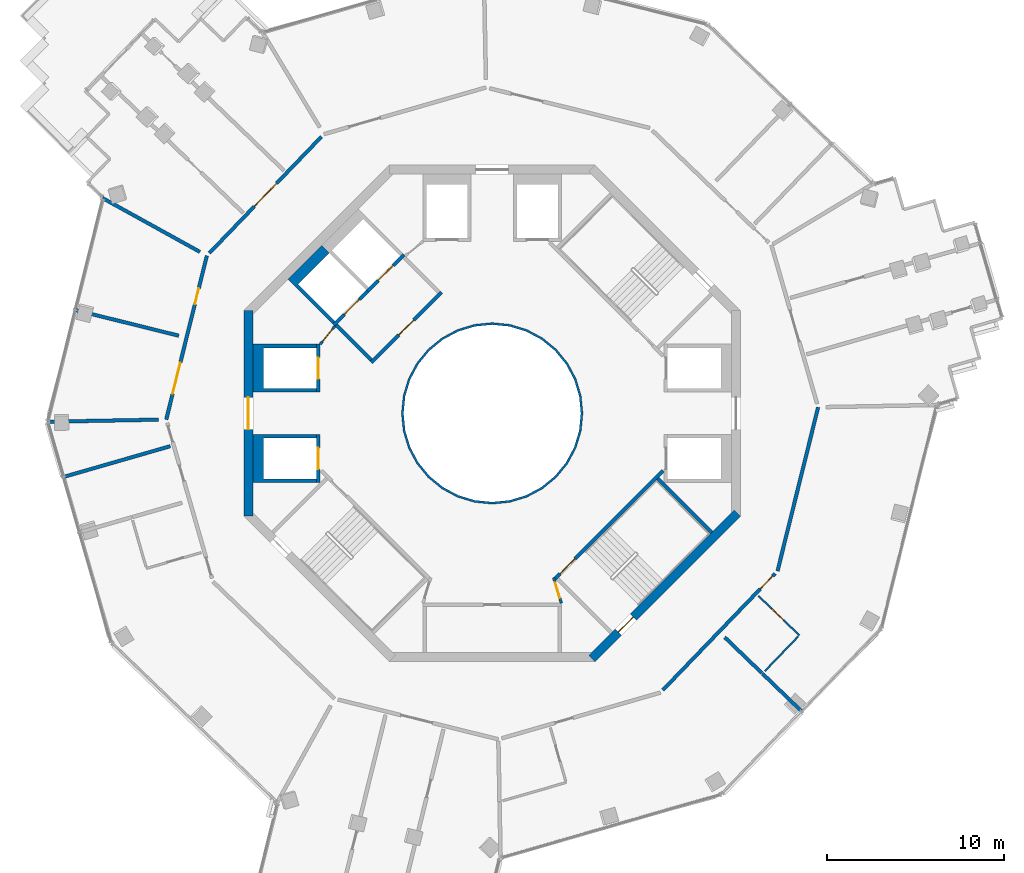
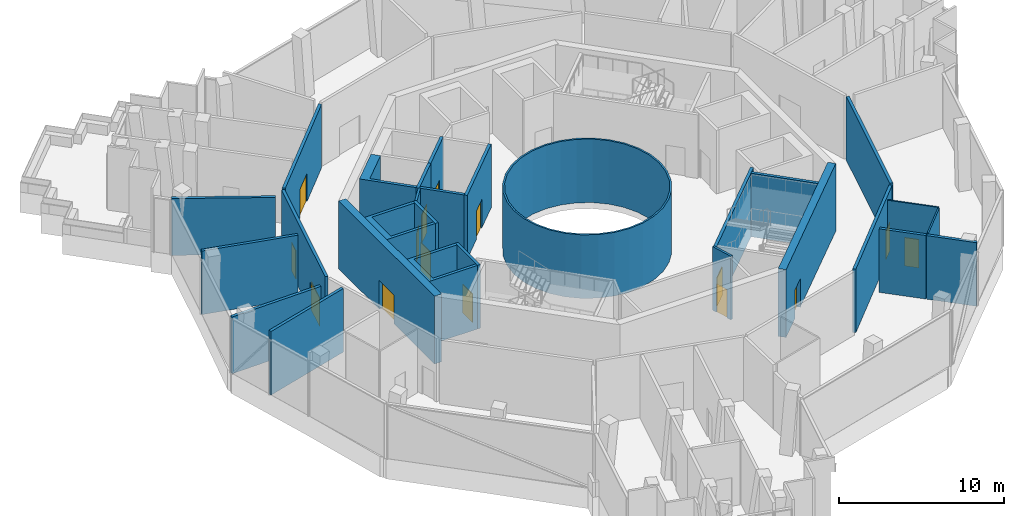
# One storey, part 9 of 17: 28 walls, 15 doors, 15 openings.
"""IFC4 building model written with IfcOpenShell, lengths in metres."""

from ifc_helpers import new_model, si_unit, direction, frame, frame_2d, origin, place, context, subcontext, project, spatial, polyline, rectangle, outline, extrude, material, layer, layer_set, type_object, element, fill, save


model = new_model("IFC4")

# Units and contexts
model_context = context("Model", 3, precision=1e-05, world=origin(), true_north=direction((0.0, 1.0)))
body_context = subcontext(model_context, "Body", "Model", "MODEL_VIEW")
ifc_project = project(units=[si_unit("LENGTHUNIT", "METRE"), si_unit("AREAUNIT", "SQUARE_METRE"), si_unit("VOLUMEUNIT", "CUBIC_METRE"), si_unit("PLANEANGLEUNIT", "RADIAN"), si_unit("MASSUNIT", "GRAM", prefix="KILO")], contexts=[model_context])

# Site, building, storey
site_placement = place(None, origin())
site = spatial("IfcSite", under=ifc_project, at=site_placement, CompositionType="ELEMENT")
building_placement = place(site_placement, origin())
building = spatial("IfcBuilding", under=site, at=building_placement, Name="Verdalira Terraces Hotel", CompositionType="ELEMENT")
storey_placement = place(building_placement, frame((0.0, 0.0, 222.0)))
storey = spatial("IfcBuildingStorey", under=building, at=storey_placement, Name="L54", CompositionType="ELEMENT", Elevation=222.0)

# Wall
ifc_material_1 = material(Name="Fire-resisting glass EI 180", Category="glass")
ifc_layer_1 = layer(ifc_material_1, 0.1201171875)
ifc_layer_set_1 = layer_set([ifc_layer_1], Name="Atrium fire screen 120 mm")
wall_type_1 = type_object("IfcWallType", Name="Atrium fire screen 120 mm", PredefinedType="SOLIDWALL", material=ifc_layer_set_1)
wall_1_placement = place(storey_placement, origin())
element("IfcWall", 1, at=wall_1_placement, inside=storey, type_object=wall_type_1, Name="Atrium fire screen", PredefinedType="SOLIDWALL", context=body_context, shape_type="SweptSolid", body=[
    extrude(outline(polyline([(5.021484, -0.998779), (4.730225, -1.959229), (4.25708, -2.844482), (3.620361, -3.620361), (2.844482, -4.25708), (1.959229, -4.730225), (0.998779, -5.021484), (0.0, -5.120117), (-0.998779, -5.021484), (-1.959229, -4.730225), (-2.844482, -4.25708), (-3.620361, -3.620361), (-4.25708, -2.844482), (-4.730225, -1.959229), (-5.021484, -0.998779), (-5.120117, 0.0), (-5.021484, 0.998779), (-4.730225, 1.959229), (-4.25708, 2.844482), (-3.620361, 3.620361), (-2.844482, 4.25708), (-1.959229, 4.730225), (-0.998779, 5.021484), (0.0, 5.120117), (0.998779, 5.021484), (1.959229, 4.730225), (2.844482, 4.25708), (3.620361, 3.620361), (4.25708, 2.844482), (4.730225, 1.959229), (5.021484, 0.998779), (5.120117, 0.0), (5.021484, -0.998779)]), holes=[polyline([(4.903809, 0.975586), (4.619385, 1.91333), (4.157227, 2.777832), (3.5354, 3.5354), (2.777832, 4.157227), (1.91333, 4.619385), (0.975586, 4.903809), (0.0, 5.0), (-0.975586, 4.903809), (-1.91333, 4.619385), (-2.777832, 4.157227), (-3.5354, 3.5354), (-4.157227, 2.777832), (-4.619385, 1.91333), (-4.903809, 0.975586), (-5.0, 0.0), (-4.903809, -0.975586), (-4.619385, -1.91333), (-4.157227, -2.777832), (-3.5354, -3.5354), (-2.777832, -4.157227), (-1.91333, -4.619385), (-0.975586, -4.903809), (0.0, -5.0), (0.975586, -4.903809), (1.91333, -4.619385), (2.777832, -4.157227), (3.5354, -3.5354), (4.157227, -2.777832), (4.619385, -1.91333), (4.903809, -0.975586), (5.0, 0.0), (4.903809, 0.975586)])]), origin(), (0.0, 0.0, 1.0), 4.689941),
])

# Wall, opening, door
ifc_material_2 = material(Name="Moisture-resistant gypsum board partition")
ifc_layer_2 = layer(ifc_material_2, 0.10009765625)
ifc_layer_set_2 = layer_set([ifc_layer_2], Name="Bathroom partition 100 mm")
wall_type_2 = type_object("IfcWallType", Name="Bathroom partition 100 mm", PredefinedType="PARTITIONING", material=ifc_layer_set_2)
wall_2_placement = place(storey_placement, frame((17.321533, -12.515625, 0.0), z_axis=(0.0, 0.0, 1.0), x_axis=(-0.7202948, 0.693668077, 0.0)))
wall_2 = element("IfcWall", 2, at=wall_2_placement, inside=storey, type_object=wall_type_2, Name="Bathroom partition", PredefinedType="PARTITIONING", context=body_context, shape_type="SweptSolid", body=[
    extrude(rectangle(XDim=3.199951, YDim=0.100098, at=frame_2d((1.600098, 0.0))), origin(), (0.0, 0.0, 1.0), 4.689941),
])
opening_1_placement = place(wall_2_placement, frame((1.25, 0.0, 0.0)))
opening_1 = element("IfcOpeningElement", 3, at=opening_1_placement, cuts=wall_2, Name="Opening L54-115", PredefinedType="OPENING", context=body_context, shape_type="SweptSolid", body=[
    extrude(rectangle(XDim=0.899902, YDim=2.100098, at=frame_2d((0.449951, 1.050049))), frame((0.0, 0.060059, 0.0), z_axis=(0.0, -1.0, 0.0), x_axis=(1.0, 0.0, 0.0)), (0.0, 0.0, 1.0), 0.120117),
])
ifc_material_3 = material(Name="Timber door", Category="wood")
door_type_1 = type_object("IfcDoorType", Name="Bathroom door 900 x 2100", OperationType="NOTDEFINED", PredefinedType="DOOR", material=ifc_material_3)
door_1_placement = place(opening_1_placement, origin())
door_1 = element("IfcDoor", 4, at=door_1_placement, inside=storey, type_object=door_type_1, Name="Bathroom door 5407", OperationType="SINGLE_SWING_LEFT", OverallHeight=2.10009765625, OverallWidth=0.89990234375, PredefinedType="DOOR", context=body_context, shape_type="SweptSolid", body=[
    extrude(rectangle(XDim=0.899902, YDim=2.100098, at=frame_2d((0.449951, 1.050049))), frame((0.0, 0.024902, 0.0), z_axis=(0.0, -1.0, 0.0), x_axis=(1.0, 0.0, 0.0)), (0.0, 0.0, 1.0), 0.050049),
])
fill(opening_1, door_1)

# Walls
wall_3_placement = place(storey_placement, frame((17.252197, -12.587646, 0.0), z_axis=(0.0, 0.0, 1.0), x_axis=(-0.693643425, -0.72031854, 0.0)))
element("IfcWall", 5, at=wall_3_placement, inside=storey, type_object=wall_type_2, Name="Bathroom partition", PredefinedType="PARTITIONING", context=body_context, shape_type="SweptSolid", body=[
    extrude(rectangle(XDim=2.699951, YDim=0.100098, at=frame_2d((1.350098, 0.0))), origin(), (0.0, 0.0, 1.0), 4.689941),
])
ifc_material_4 = material(Name="Concrete C50", Category="concrete")
ifc_layer_3 = layer(ifc_material_4, 0.199951171875)
ifc_layer_set_3 = layer_set([ifc_layer_3], Name="Core RC wall 200 C50")
wall_type_3 = type_object("IfcWallType", Name="Core RC wall 200 C50", PredefinedType="SOLIDWALL", material=ifc_layer_set_3)
wall_4_placement = place(storey_placement, origin())
element("IfcWall", 6, at=wall_4_placement, inside=storey, type_object=wall_type_3, Name="L54 shaft wall W1", PredefinedType="SOLIDWALL", context=body_context, shape_type="SweptSolid", body=[
    extrude(outline(polyline([(-13.5, 3.899902), (-9.899902, 3.899902), (-9.899902, 3.699951), (-12.899902, 3.699951), (-12.899902, 1.399902), (-9.899902, 1.399902), (-9.899902, 1.199951), (-13.5, 1.199951), (-13.5, 3.899902)])), origin(), (0.0, 0.0, 1.0), 4.689941),
])

# Wall, opening, door
wall_5_placement = place(storey_placement, frame((-9.800049, 1.199951, 0.0), z_axis=(0.0, 0.0, 1.0), x_axis=(0.0, 1.0, 0.0)))
wall_5 = element("IfcWall", 7, at=wall_5_placement, inside=storey, type_object=wall_type_3, Name="L54 shaft front wall W1", PredefinedType="SOLIDWALL", context=body_context, shape_type="SweptSolid", body=[
    extrude(rectangle(XDim=2.699951, YDim=0.199951, at=frame_2d((1.350098, 0.0))), origin(), (0.0, 0.0, 1.0), 4.689941),
])
opening_2_placement = place(wall_5_placement, frame((0.75, 0.0, 0.0)))
opening_2 = element("IfcOpeningElement", 8, at=opening_2_placement, cuts=wall_5, Name="Opening LD-L54-806", PredefinedType="OPENING", context=body_context, shape_type="SweptSolid", body=[
    extrude(rectangle(XDim=1.199951, YDim=2.100098, at=frame_2d((0.600098, 1.050049))), frame((0.0, 0.109863, 0.0), z_axis=(0.0, -1.0, 0.0), x_axis=(1.0, 0.0, 0.0)), (0.0, 0.0, 1.0), 0.219971),
])
ifc_material_5 = material(Name="Stainless steel", Category="steel")
door_type_2 = type_object("IfcDoorType", Name="Landing door 1200 x 2100", OperationType="NOTDEFINED", PredefinedType="DOOR", material=ifc_material_5)
door_2_placement = place(opening_2_placement, origin())
door_2 = element("IfcDoor", 9, at=door_2_placement, inside=storey, type_object=door_type_2, Name="Lift landing door HR5 L54", OperationType="DOUBLE_DOOR_SLIDING", OverallHeight=2.10009765625, OverallWidth=1.199951171875, PredefinedType="DOOR", context=body_context, shape_type="SweptSolid", body=[
    extrude(rectangle(XDim=1.199951, YDim=2.100098, at=frame_2d((0.600098, 1.050049))), frame((0.0, 0.024902, 0.0), z_axis=(0.0, -1.0, 0.0), x_axis=(1.0, 0.0, 0.0)), (0.0, 0.0, 1.0), 0.050049),
])
fill(opening_2, door_2)

# Wall
wall_6_placement = place(storey_placement, origin())
element("IfcWall", 10, at=wall_6_placement, inside=storey, type_object=wall_type_3, Name="L54 shaft wall W2", PredefinedType="SOLIDWALL", context=body_context, shape_type="SweptSolid", body=[
    extrude(outline(polyline([(-13.5, -3.899902), (-13.5, -1.199951), (-9.899902, -1.199951), (-9.899902, -1.399902), (-12.899902, -1.399902), (-12.899902, -3.699951), (-9.899902, -3.699951), (-9.899902, -3.899902), (-13.5, -3.899902)])), origin(), (0.0, 0.0, 1.0), 4.689941),
])

# Wall, opening, door
wall_7_placement = place(storey_placement, frame((-9.800049, -1.199951, 0.0), z_axis=(0.0, 0.0, 1.0), x_axis=(0.0, -1.0, 0.0)))
wall_7 = element("IfcWall", 11, at=wall_7_placement, inside=storey, type_object=wall_type_3, Name="L54 shaft front wall W2", PredefinedType="SOLIDWALL", context=body_context, shape_type="SweptSolid", body=[
    extrude(rectangle(XDim=2.699951, YDim=0.199951, at=frame_2d((1.350098, 0.0))), origin(), (0.0, 0.0, 1.0), 4.689941),
])
opening_3_placement = place(wall_7_placement, frame((0.75, 0.0, 0.0)))
opening_3 = element("IfcOpeningElement", 12, at=opening_3_placement, cuts=wall_7, Name="Opening LD-L54-807", PredefinedType="OPENING", context=body_context, shape_type="SweptSolid", body=[
    extrude(rectangle(XDim=1.199951, YDim=2.100098, at=frame_2d((0.600098, 1.050049))), frame((0.0, 0.109863, 0.0), z_axis=(0.0, -1.0, 0.0), x_axis=(1.0, 0.0, 0.0)), (0.0, 0.0, 1.0), 0.219971),
])
door_3_placement = place(opening_3_placement, origin())
door_3 = element("IfcDoor", 13, at=door_3_placement, inside=storey, type_object=door_type_2, Name="Lift landing door HR6 L54", OperationType="DOUBLE_DOOR_SLIDING", OverallHeight=2.10009765625, OverallWidth=1.199951171875, PredefinedType="DOOR", context=body_context, shape_type="SweptSolid", body=[
    extrude(rectangle(XDim=1.199951, YDim=2.100098, at=frame_2d((0.600098, 1.050049))), frame((0.0, 0.024902, 0.0), z_axis=(0.0, -1.0, 0.0), x_axis=(1.0, 0.0, 0.0)), (0.0, 0.0, 1.0), 0.050049),
])
fill(opening_3, door_3)

wall_8_placement = place(storey_placement, frame((-4.985107, 8.944824, 0.0), z_axis=(0.0, 0.0, 1.0), x_axis=(-0.707106781, -0.707106781, 0.0)))
wall_8 = element("IfcWall", 14, at=wall_8_placement, inside=storey, type_object=wall_type_3, Name="L54 shaft front wall F1", PredefinedType="SOLIDWALL", context=body_context, shape_type="SweptSolid", body=[
    extrude(rectangle(XDim=2.899902, YDim=0.199951, at=frame_2d((1.449951, 0.0))), origin(), (0.0, 0.0, 1.0), 4.689941),
])
opening_4_placement = place(wall_8_placement, frame((0.850098, 0.0, 0.0)))
opening_4 = element("IfcOpeningElement", 15, at=opening_4_placement, cuts=wall_8, Name="Opening LD-L54-808", PredefinedType="OPENING", context=body_context, shape_type="SweptSolid", body=[
    extrude(rectangle(XDim=1.199951, YDim=2.100098, at=frame_2d((0.600098, 1.050049))), frame((0.0, 0.109863, 0.0), z_axis=(0.0, -1.0, 0.0), x_axis=(1.0, 0.0, 0.0)), (0.0, 0.0, 1.0), 0.219971),
])
door_4_placement = place(opening_4_placement, origin())
door_4 = element("IfcDoor", 16, at=door_4_placement, inside=storey, type_object=door_type_2, Name="Lift landing door LF11 L54", OperationType="DOUBLE_DOOR_SLIDING", OverallHeight=2.10009765625, OverallWidth=1.199951171875, PredefinedType="DOOR", context=body_context, shape_type="SweptSolid", body=[
    extrude(rectangle(XDim=1.199951, YDim=2.100098, at=frame_2d((0.600098, 1.050049))), frame((0.0, 0.024902, 0.0), z_axis=(0.0, -1.0, 0.0), x_axis=(1.0, 0.0, 0.0)), (0.0, 0.0, 1.0), 0.050049),
])
fill(opening_4, door_4)

# Wall
wall_9_placement = place(storey_placement, origin())
element("IfcWall", 17, at=wall_9_placement, inside=storey, type_object=wall_type_3, Name="L54 shaft wall F2", PredefinedType="SOLIDWALL", context=body_context, shape_type="SweptSolid", body=[
    extrude(outline(polyline([(-11.525879, 7.565918), (-9.616699, 9.475098), (-9.192383, 9.051025), (-10.960205, 7.283203), (-8.874268, 5.197266), (-9.015625, 5.055908), (-11.525879, 7.565918)])), origin(), (0.0, 0.0, 1.0), 4.689941),
])

# Wall, opening, door
wall_10_placement = place(storey_placement, frame((-7.035645, 6.894287, 0.0), z_axis=(0.0, 0.0, 1.0), x_axis=(-0.707106781, -0.707106781, 0.0)))
wall_10 = element("IfcWall", 18, at=wall_10_placement, inside=storey, type_object=wall_type_3, Name="L54 shaft front wall F2", PredefinedType="SOLIDWALL", context=body_context, shape_type="SweptSolid", body=[
    extrude(rectangle(XDim=2.699951, YDim=0.199951, at=frame_2d((1.350098, 0.0))), origin(), (0.0, 0.0, 1.0), 4.689941),
])
opening_5_placement = place(wall_10_placement, frame((0.649902, 0.0, 0.0)))
opening_5 = element("IfcOpeningElement", 19, at=opening_5_placement, cuts=wall_10, Name="Opening LD-L54-809", PredefinedType="OPENING", context=body_context, shape_type="SweptSolid", body=[
    extrude(rectangle(XDim=1.199951, YDim=2.100098, at=frame_2d((0.600098, 1.050049))), frame((0.0, 0.109863, 0.0), z_axis=(0.0, -1.0, 0.0), x_axis=(1.0, 0.0, 0.0)), (0.0, 0.0, 1.0), 0.219971),
])
door_5_placement = place(opening_5_placement, origin())
door_5 = element("IfcDoor", 20, at=door_5_placement, inside=storey, type_object=door_type_2, Name="Lift landing door LF12 L54", OperationType="DOUBLE_DOOR_SLIDING", OverallHeight=2.10009765625, OverallWidth=1.199951171875, PredefinedType="DOOR", context=body_context, shape_type="SweptSolid", body=[
    extrude(rectangle(XDim=1.199951, YDim=2.100098, at=frame_2d((0.600098, 1.050049))), frame((0.0, 0.024902, 0.0), z_axis=(0.0, -1.0, 0.0), x_axis=(1.0, 0.0, 0.0)), (0.0, 0.0, 1.0), 0.050049),
])
fill(opening_5, door_5)

wall_11_placement = place(storey_placement, frame((9.629395, -3.23999, 0.0), z_axis=(0.0, 0.0, 1.0), x_axis=(-0.707120946, -0.707092617, 0.0)))
wall_11 = element("IfcWall", 21, at=wall_11_placement, inside=storey, type_object=wall_type_3, Name="L54 stair ST3 front wall", PredefinedType="SOLIDWALL", context=body_context, shape_type="SweptSolid", body=[
    extrude(rectangle(XDim=8.61792, YDim=0.199951, at=frame_2d((4.309082, 0.0))), origin(), (0.0, 0.0, 1.0), 4.689941),
])
opening_6_placement = place(wall_11_placement, frame((7.017822, 0.0, 0.0)))
opening_6 = element("IfcOpeningElement", 22, at=opening_6_placement, cuts=wall_11, Name="Opening L54-812", PredefinedType="OPENING", context=body_context, shape_type="SweptSolid", body=[
    extrude(rectangle(XDim=1.199951, YDim=2.100098, at=frame_2d((0.600098, 1.050049))), frame((0.0, 0.109863, 0.0), z_axis=(0.0, -1.0, 0.0), x_axis=(1.0, 0.0, 0.0)), (0.0, 0.0, 1.0), 0.219971),
])
ifc_material_6 = material(Name="Steel fire door", Category="steel")
door_type_3 = type_object("IfcDoorType", Name="Stair door 1200 x 2100", OperationType="NOTDEFINED", PredefinedType="DOOR", material=ifc_material_6)
door_6_placement = place(opening_6_placement, origin())
door_6 = element("IfcDoor", 23, at=door_6_placement, inside=storey, type_object=door_type_3, Name="Stair door ST3 L54", OperationType="SINGLE_SWING_RIGHT", OverallHeight=2.10009765625, OverallWidth=1.199951171875, PredefinedType="DOOR", context=body_context, shape_type="SweptSolid", body=[
    extrude(rectangle(XDim=1.199951, YDim=2.100098, at=frame_2d((0.600098, 1.050049))), frame((0.0, 0.024902, 0.0), z_axis=(0.0, -1.0, 0.0), x_axis=(1.0, 0.0, 0.0)), (0.0, 0.0, 1.0), 0.050049),
])
fill(opening_6, door_6)

# Wall
wall_12_placement = place(storey_placement, frame((9.33374, -3.677002, 0.0), z_axis=(0.0, 0.0, 1.0), x_axis=(0.707135168, -0.707078393, 0.0)))
element("IfcWall", 24, at=wall_12_placement, inside=storey, type_object=wall_type_3, Name="L54 stair ST3 end wall 2", PredefinedType="SOLIDWALL", context=body_context, shape_type="SweptSolid", body=[
    extrude(rectangle(XDim=4.300049, YDim=0.199951, at=frame_2d((2.149902, 0.0))), origin(), (0.0, 0.0, 1.0), 4.689941),
])

# Wall, opening, door
wall_13_placement = place(storey_placement, frame((-2.86377, 6.823486, 0.0), z_axis=(0.0, 0.0, 1.0), x_axis=(-0.707106781, -0.707106781, 0.0)))
wall_13 = element("IfcWall", 25, at=wall_13_placement, inside=storey, type_object=wall_type_3, Name="L54 fire lobby wall", PredefinedType="SOLIDWALL", context=body_context, shape_type="SweptSolid", body=[
    extrude(rectangle(XDim=5.599854, YDim=0.199951, at=frame_2d((2.799805, 0.0))), origin(), (0.0, 0.0, 1.0), 4.689941),
])
opening_7_placement = place(wall_13_placement, frame((2.199951, 0.0, 0.0)))
opening_7 = element("IfcOpeningElement", 26, at=opening_7_placement, cuts=wall_13, Name="Opening L54-819", PredefinedType="OPENING", context=body_context, shape_type="SweptSolid", body=[
    extrude(rectangle(XDim=1.199951, YDim=2.100098, at=frame_2d((0.600098, 1.050049))), frame((0.0, 0.109863, 0.0), z_axis=(0.0, -1.0, 0.0), x_axis=(1.0, 0.0, 0.0)), (0.0, 0.0, 1.0), 0.219971),
])
ifc_material_7 = material(Name="Steel fire door", Category="steel")
door_type_4 = type_object("IfcDoorType", Name="Lobby door 1200 x 2100", OperationType="NOTDEFINED", PredefinedType="DOOR", material=ifc_material_7)
door_7_placement = place(opening_7_placement, origin())
door_7 = element("IfcDoor", 27, at=door_7_placement, inside=storey, type_object=door_type_4, Name="Fire lobby door L54", OperationType="SINGLE_SWING_LEFT", OverallHeight=2.10009765625, OverallWidth=1.199951171875, PredefinedType="DOOR", context=body_context, shape_type="SweptSolid", body=[
    extrude(rectangle(XDim=1.199951, YDim=2.100098, at=frame_2d((0.600098, 1.050049))), frame((0.0, 0.024902, 0.0), z_axis=(0.0, -1.0, 0.0), x_axis=(1.0, 0.0, 0.0)), (0.0, 0.0, 1.0), 0.050049),
])
fill(opening_7, door_7)

# Wall
wall_14_placement = place(storey_placement, frame((-6.823486, 3.005127, 0.0), z_axis=(0.0, 0.0, 1.0), x_axis=(-0.707106781, 0.707106781, 0.0)))
element("IfcWall", 28, at=wall_14_placement, inside=storey, type_object=wall_type_3, Name="L54 fire lobby wall", PredefinedType="SOLIDWALL", context=body_context, shape_type="SweptSolid", body=[
    extrude(rectangle(XDim=2.800049, YDim=0.199951, at=frame_2d((1.399902, 0.0))), origin(), (0.0, 0.0, 1.0), 4.689941),
])

# Wall, opening, door
ifc_material_8 = material(Name="Gypsum board partition")
ifc_layer_4 = layer(ifc_material_8, 0.14990234375)
ifc_layer_set_4 = layer_set([ifc_layer_4], Name="Core partition 150 mm")
wall_type_4 = type_object("IfcWallType", Name="Core partition 150 mm", PredefinedType="PARTITIONING", material=ifc_layer_set_4)
wall_15_placement = place(storey_placement, frame((-8.874268, 4.914307, 0.0), z_axis=(0.0, 0.0, 1.0), x_axis=(-0.631274009, -0.775559878, 0.0)))
wall_15 = element("IfcWall", 29, at=wall_15_placement, inside=storey, type_object=wall_type_4, Name="Room partition L54", PredefinedType="PARTITIONING", context=body_context, shape_type="SweptSolid", body=[
    extrude(rectangle(XDim=1.307861, YDim=0.149902, at=frame_2d((0.653809, 0.0))), origin(), (0.0, 0.0, 1.0), 4.689941),
])
opening_8_placement = place(wall_15_placement, frame((0.204102, 0.0, 0.0)))
opening_8 = element("IfcOpeningElement", 30, at=opening_8_placement, cuts=wall_15, Name="Opening L54-821", PredefinedType="OPENING", context=body_context, shape_type="SweptSolid", body=[
    extrude(rectangle(XDim=0.899902, YDim=2.100098, at=frame_2d((0.449951, 1.050049))), frame((0.0, 0.084961, 0.0), z_axis=(0.0, -1.0, 0.0), x_axis=(1.0, 0.0, 0.0)), (0.0, 0.0, 1.0), 0.169922),
])
ifc_material_9 = material(Name="Steel fire door", Category="steel")
door_type_5 = type_object("IfcDoorType", Name="Core room door 900 x 2100", OperationType="NOTDEFINED", PredefinedType="DOOR", material=ifc_material_9)
door_8_placement = place(opening_8_placement, origin())
door_8 = element("IfcDoor", 31, at=door_8_placement, inside=storey, type_object=door_type_5, Name="Door L54 room3", OperationType="SINGLE_SWING_LEFT", OverallHeight=2.10009765625, OverallWidth=0.89990234375, PredefinedType="DOOR", context=body_context, shape_type="SweptSolid", body=[
    extrude(rectangle(XDim=0.899902, YDim=2.100098, at=frame_2d((0.449951, 1.050049))), frame((0.0, 0.024902, 0.0), z_axis=(0.0, -1.0, 0.0), x_axis=(1.0, 0.0, 0.0)), (0.0, 0.0, 1.0), 0.050049),
])
fill(opening_8, door_8)

wall_16_placement = place(storey_placement, frame((3.899902, -10.699951, 0.0), z_axis=(0.0, 0.0, 1.0), x_axis=(-0.289808785, 0.957084567, 0.0)))
wall_16 = element("IfcWall", 32, at=wall_16_placement, inside=storey, type_object=wall_type_4, Name="Room partition L54", PredefinedType="PARTITIONING", context=body_context, shape_type="SweptSolid", body=[
    extrude(rectangle(XDim=1.501221, YDim=0.149902, at=frame_2d((0.750488, 0.0))), origin(), (0.0, 0.0, 1.0), 4.689941),
])
opening_9_placement = place(wall_16_placement, frame((0.300781, 0.0, 0.0)))
opening_9 = element("IfcOpeningElement", 33, at=opening_9_placement, cuts=wall_16, Name="Opening L54-823", PredefinedType="OPENING", context=body_context, shape_type="SweptSolid", body=[
    extrude(rectangle(XDim=0.899902, YDim=2.100098, at=frame_2d((0.449951, 1.050049))), frame((0.0, 0.084961, 0.0), z_axis=(0.0, -1.0, 0.0), x_axis=(1.0, 0.0, 0.0)), (0.0, 0.0, 1.0), 0.169922),
])
door_9_placement = place(opening_9_placement, origin())
door_9 = element("IfcDoor", 34, at=door_9_placement, inside=storey, type_object=door_type_5, Name="Door L54 room6", OperationType="SINGLE_SWING_LEFT", OverallHeight=2.10009765625, OverallWidth=0.89990234375, PredefinedType="DOOR", context=body_context, shape_type="SweptSolid", body=[
    extrude(rectangle(XDim=0.899902, YDim=2.100098, at=frame_2d((0.449951, 1.050049))), frame((0.0, 0.024902, 0.0), z_axis=(0.0, -1.0, 0.0), x_axis=(1.0, 0.0, 0.0)), (0.0, 0.0, 1.0), 0.050049),
])
fill(opening_9, door_9)

ifc_material_10 = material(Name="Concrete C50", Category="concrete")
ifc_layer_5 = layer(ifc_material_10, 0.5)
ifc_layer_set_5 = layer_set([ifc_layer_5], Name="Core wall 500 C50")
wall_type_5 = type_object("IfcWallType", Name="Core wall 500 C50", PredefinedType="SHEAR", material=ifc_layer_set_5)
wall_17_placement = place(storey_placement, frame((-13.75, 5.799072, 0.0), z_axis=(0.0, 0.0, 1.0), x_axis=(0.0, -1.0, 0.0)))
wall_17 = element("IfcWall", 35, at=wall_17_placement, inside=storey, type_object=wall_type_5, Name="Core wall CW-L54-5", PredefinedType="SHEAR", context=body_context, shape_type="SweptSolid", body=[
    extrude(rectangle(XDim=11.598145, YDim=0.5, at=frame_2d((5.799072, 0.0))), origin(), (0.0, 0.0, 1.0), 5.0),
])
opening_10_placement = place(wall_17_placement, frame((4.898926, 0.0, 0.0)))
opening_10 = element("IfcOpeningElement", 36, at=opening_10_placement, cuts=wall_17, Name="Opening L54-815", PredefinedType="OPENING", context=body_context, shape_type="SweptSolid", body=[
    extrude(rectangle(XDim=1.800049, YDim=2.100098, at=frame_2d((0.899902, 1.050049))), frame((0.0, 0.26001, 0.0), z_axis=(0.0, -1.0, 0.0), x_axis=(1.0, 0.0, 0.0)), (0.0, 0.0, 1.0), 0.52002),
])
ifc_material_11 = material(Name="Steel fire door", Category="steel")
door_type_6 = type_object("IfcDoorType", Name="Core entry door pair 1800 x 2100", OperationType="NOTDEFINED", PredefinedType="DOOR", material=ifc_material_11)
door_10_placement = place(opening_10_placement, origin())
door_10 = element("IfcDoor", 37, at=door_10_placement, inside=storey, type_object=door_type_6, Name="Core entry door L54 4", OperationType="DOUBLE_DOOR_SINGLE_SWING", OverallHeight=2.10009765625, OverallWidth=1.800048828125, PredefinedType="DOOR", context=body_context, shape_type="SweptSolid", body=[
    extrude(rectangle(XDim=1.800049, YDim=2.100098, at=frame_2d((0.899902, 1.050049))), frame((0.0, 0.024902, 0.0), z_axis=(0.0, -1.0, 0.0), x_axis=(1.0, 0.0, 0.0)), (0.0, 0.0, 1.0), 0.050049),
])
fill(opening_10, door_10)

wall_18_placement = place(storey_placement, frame((5.622314, -13.823242, 0.0), z_axis=(0.0, 0.0, 1.0), x_axis=(0.707106781, 0.707106781, 0.0)))
wall_18 = element("IfcWall", 38, at=wall_18_placement, inside=storey, type_object=wall_type_5, Name="Core wall CW-L54-8", PredefinedType="SHEAR", context=body_context, shape_type="SweptSolid", body=[
    extrude(rectangle(XDim=11.5979, YDim=0.5, at=frame_2d((5.798828, 0.0))), origin(), (0.0, 0.0, 1.0), 5.0),
])
opening_11_placement = place(wall_18_placement, frame((2.099121, 0.0, 0.0)))
opening_11 = element("IfcOpeningElement", 39, at=opening_11_placement, cuts=wall_18, Name="Opening L54-818", PredefinedType="OPENING", context=body_context, shape_type="SweptSolid", body=[
    extrude(rectangle(XDim=1.199951, YDim=2.100098, at=frame_2d((0.600098, 1.050049))), frame((0.0, 0.26001, 0.0), z_axis=(0.0, -1.0, 0.0), x_axis=(1.0, 0.0, 0.0)), (0.0, 0.0, 1.0), 0.52002),
])
door_11_placement = place(opening_11_placement, origin())
door_11 = element("IfcDoor", 40, at=door_11_placement, inside=storey, type_object=door_type_3, Name="Stair exit door ST3 L54", OperationType="SINGLE_SWING_LEFT", OverallHeight=2.10009765625, OverallWidth=1.199951171875, PredefinedType="DOOR", context=body_context, shape_type="SweptSolid", body=[
    extrude(rectangle(XDim=1.199951, YDim=2.100098, at=frame_2d((0.600098, 1.050049))), frame((0.0, 0.024902, 0.0), z_axis=(0.0, -1.0, 0.0), x_axis=(1.0, 0.0, 0.0)), (0.0, 0.0, 1.0), 0.050049),
])
fill(opening_11, door_11)

# Walls
ifc_material_12 = material(Name="Fire-rated gypsum board wall")
ifc_layer_6 = layer(ifc_material_12, 0.199951171875)
ifc_layer_set_6 = layer_set([ifc_layer_6], Name="Demising wall 200 mm")
wall_type_6 = type_object("IfcWallType", Name="Demising wall 200 mm", PredefinedType="SOLIDWALL", material=ifc_layer_set_6)
wall_19_placement = place(storey_placement, frame((13.11377, -12.628418, 0.0), z_axis=(0.0, 0.0, 1.0), x_axis=(0.720303104, -0.693659454, 0.0)))
element("IfcWall", 41, at=wall_19_placement, inside=storey, type_object=wall_type_6, Name="Demising wall", PredefinedType="SOLIDWALL", context=body_context, shape_type="SweptSolid", body=[
    extrude(rectangle(XDim=2.904785, YDim=0.199951, at=frame_2d((1.452393, 0.0))), origin(), (0.0, 0.0, 1.0), 4.689941),
])
wall_20_placement = place(storey_placement, frame((15.239014, -14.675293, 0.0), z_axis=(0.0, 0.0, 1.0), x_axis=(0.72032167, -0.693640175, 0.0)))
element("IfcWall", 42, at=wall_20_placement, inside=storey, type_object=wall_type_6, Name="Demising wall", PredefinedType="SOLIDWALL", context=body_context, shape_type="SweptSolid", body=[
    extrude(rectangle(XDim=3.101807, YDim=0.199951, at=frame_2d((1.550781, 0.0))), origin(), (0.0, 0.0, 1.0), 4.689941),
])

# Wall, openings, doors
ifc_material_13 = material(Name="Fire-rated gypsum board wall")
ifc_layer_7 = layer(ifc_material_13, 0.199951171875)
ifc_layer_set_7 = layer_set([ifc_layer_7], Name="Guest corridor wall 200 mm")
wall_type_7 = type_object("IfcWallType", Name="Guest corridor wall 200 mm", PredefinedType="SOLIDWALL", material=ifc_layer_set_7)
wall_21_placement = place(storey_placement, frame((-18.381592, -0.346436, 0.0), z_axis=(0.0, 0.0, 1.0), x_axis=(0.240585413, 0.970627971, 0.0)))
wall_21 = element("IfcWall", 43, at=wall_21_placement, inside=storey, type_object=wall_type_7, Name="Guest corridor wall", PredefinedType="SOLIDWALL", context=body_context, shape_type="SweptSolid", body=[
    extrude(rectangle(XDim=9.516602, YDim=0.199951, at=frame_2d((4.758301, 0.0))), origin(), (0.0, 0.0, 1.0), 4.689941),
])
opening_12_placement = place(wall_21_placement, frame((6.708252, 0.0, 0.0)))
opening_12 = element("IfcOpeningElement", 44, at=opening_12_placement, cuts=wall_21, Name="Opening L54-104", PredefinedType="OPENING", context=body_context, shape_type="SweptSolid", body=[
    extrude(rectangle(XDim=0.899902, YDim=2.100098, at=frame_2d((0.449951, 1.050049))), frame((0.0, 0.109863, 0.0), z_axis=(0.0, -1.0, 0.0), x_axis=(1.0, 0.0, 0.0)), (0.0, 0.0, 1.0), 0.219971),
])
opening_13_placement = place(wall_21_placement, frame((1.5, 0.0, 0.0)))
opening_13 = element("IfcOpeningElement", 45, at=opening_13_placement, cuts=wall_21, Name="Opening L54-105", PredefinedType="OPENING", context=body_context, shape_type="SweptSolid", body=[
    extrude(rectangle(XDim=1.800049, YDim=2.100098, at=frame_2d((0.899902, 1.050049))), frame((0.0, 0.109863, 0.0), z_axis=(0.0, -1.0, 0.0), x_axis=(1.0, 0.0, 0.0)), (0.0, 0.0, 1.0), 0.219971),
])
ifc_material_14 = material(Name="Timber fire door", Category="wood")
door_type_7 = type_object("IfcDoorType", Name="Public room double door 1800 x 2100", OperationType="NOTDEFINED", PredefinedType="DOOR", material=ifc_material_14)
door_12_placement = place(opening_13_placement, origin())
door_12 = element("IfcDoor", 46, at=door_12_placement, inside=storey, type_object=door_type_7, Name="Public room double door 5403", OperationType="DOUBLE_DOOR_SINGLE_SWING", OverallHeight=2.10009765625, OverallWidth=1.800048828125, PredefinedType="DOOR", context=body_context, shape_type="SweptSolid", body=[
    extrude(rectangle(XDim=1.800049, YDim=2.100098, at=frame_2d((0.899902, 1.050049))), frame((0.0, 0.024902, 0.0), z_axis=(0.0, -1.0, 0.0), x_axis=(1.0, 0.0, 0.0)), (0.0, 0.0, 1.0), 0.050049),
])
fill(opening_13, door_12)
ifc_material_15 = material(Name="Steel fire door", Category="steel")
door_type_8 = type_object("IfcDoorType", Name="Service room door 900 x 2100", OperationType="NOTDEFINED", PredefinedType="DOOR", material=ifc_material_15)
door_13_placement = place(opening_12_placement, origin())
door_13 = element("IfcDoor", 47, at=door_13_placement, inside=storey, type_object=door_type_8, Name="Service room door 5402", OperationType="SINGLE_SWING_LEFT", OverallHeight=2.10009765625, OverallWidth=0.89990234375, PredefinedType="DOOR", context=body_context, shape_type="SweptSolid", body=[
    extrude(rectangle(XDim=0.899902, YDim=2.100098, at=frame_2d((0.449951, 1.050049))), frame((0.0, 0.024902, 0.0), z_axis=(0.0, -1.0, 0.0), x_axis=(1.0, 0.0, 0.0)), (0.0, 0.0, 1.0), 0.050049),
])
fill(opening_12, door_13)

# Wall, opening, door
wall_22_placement = place(storey_placement, frame((-15.953369, 9.034668, 0.0), z_axis=(0.0, 0.0, 1.0), x_axis=(0.693644775, 0.72031724, 0.0)))
wall_22 = element("IfcWall", 48, at=wall_22_placement, inside=storey, type_object=wall_type_7, Name="Guest corridor wall", PredefinedType="SOLIDWALL", context=body_context, shape_type="SweptSolid", body=[
    extrude(rectangle(XDim=9.116699, YDim=0.199951, at=frame_2d((4.55835, 0.0))), origin(), (0.0, 0.0, 1.0), 4.689941),
])
opening_14_placement = place(wall_22_placement, frame((3.660889, 0.0, 0.0)))
opening_14 = element("IfcOpeningElement", 49, at=opening_14_placement, cuts=wall_22, Name="Opening L54-101", PredefinedType="OPENING", context=body_context, shape_type="SweptSolid", body=[
    extrude(rectangle(XDim=1.800049, YDim=2.100098, at=frame_2d((0.899902, 1.050049))), frame((0.0, 0.109863, 0.0), z_axis=(0.0, -1.0, 0.0), x_axis=(1.0, 0.0, 0.0)), (0.0, 0.0, 1.0), 0.219971),
])
door_14_placement = place(opening_14_placement, origin())
door_14 = element("IfcDoor", 50, at=door_14_placement, inside=storey, type_object=door_type_7, Name="Public room double door 5401", OperationType="DOUBLE_DOOR_SINGLE_SWING", OverallHeight=2.10009765625, OverallWidth=1.800048828125, PredefinedType="DOOR", context=body_context, shape_type="SweptSolid", body=[
    extrude(rectangle(XDim=1.800049, YDim=2.100098, at=frame_2d((0.899902, 1.050049))), frame((0.0, 0.024902, 0.0), z_axis=(0.0, -1.0, 0.0), x_axis=(1.0, 0.0, 0.0)), (0.0, 0.0, 1.0), 0.050049),
])
fill(opening_14, door_14)

wall_23_placement = place(storey_placement, frame((15.952881, -9.035156, 0.0), z_axis=(0.0, 0.0, 1.0), x_axis=(-0.693656613, -0.72030584, 0.0)))
wall_23 = element("IfcWall", 51, at=wall_23_placement, inside=storey, type_object=wall_type_7, Name="Guest corridor wall", PredefinedType="SOLIDWALL", context=body_context, shape_type="SweptSolid", body=[
    extrude(rectangle(XDim=9.115479, YDim=0.199951, at=frame_2d((4.557617, 0.0))), origin(), (0.0, 0.0, 1.0), 4.689941),
])
opening_15_placement = place(wall_23_placement, frame((0.199951, 0.0, 0.0)))
opening_15 = element("IfcOpeningElement", 52, at=opening_15_placement, cuts=wall_23, Name="Opening L54-114", PredefinedType="OPENING", context=body_context, shape_type="SweptSolid", body=[
    extrude(rectangle(XDim=1.0, YDim=2.100098, at=frame_2d((0.5, 1.050049))), frame((0.0, 0.109863, 0.0), z_axis=(0.0, -1.0, 0.0), x_axis=(1.0, 0.0, 0.0)), (0.0, 0.0, 1.0), 0.219971),
])
ifc_material_16 = material(Name="Timber fire door", Category="wood")
door_type_9 = type_object("IfcDoorType", Name="Guest entry door 1000 x 2100", OperationType="NOTDEFINED", PredefinedType="DOOR", material=ifc_material_16)
door_15_placement = place(opening_15_placement, origin())
door_15 = element("IfcDoor", 53, at=door_15_placement, inside=storey, type_object=door_type_9, Name="Guest entry door 5407", OperationType="SINGLE_SWING_LEFT", OverallHeight=2.10009765625, OverallWidth=1.0, PredefinedType="DOOR", context=body_context, shape_type="SweptSolid", body=[
    extrude(rectangle(XDim=1.0, YDim=2.100098, at=frame_2d((0.5, 1.050049))), frame((0.0, 0.024902, 0.0), z_axis=(0.0, -1.0, 0.0), x_axis=(1.0, 0.0, 0.0)), (0.0, 0.0, 1.0), 0.050049),
])
fill(opening_15, door_15)

# Walls
wall_24_placement = place(storey_placement, frame((16.092285, -8.890137, 0.0), z_axis=(0.0, 0.0, 1.0), x_axis=(0.240573225, 0.970630992, 0.0)))
element("IfcWall", 54, at=wall_24_placement, inside=storey, type_object=wall_type_7, Name="Guest corridor wall", PredefinedType="SOLIDWALL", context=body_context, shape_type="SweptSolid", body=[
    extrude(rectangle(XDim=9.516113, YDim=0.199951, at=frame_2d((4.758057, 0.0))), origin(), (0.0, 0.0, 1.0), 4.689941),
])
ifc_material_17 = material(Name="Fire-rated gypsum board wall")
ifc_layer_8 = layer(ifc_material_17, 0.199951171875)
ifc_layer_set_8 = layer_set([ifc_layer_8], Name="Service room wall 200 mm")
wall_type_8 = type_object("IfcWallType", Name="Service room wall 200 mm", PredefinedType="SOLIDWALL", material=ifc_layer_set_8)
wall_25_placement = place(storey_placement, frame((-18.156006, -1.851318, 0.0), z_axis=(0.0, 0.0, 1.0), x_axis=(-0.960879339, -0.276967318, 0.0)))
element("IfcWall", 55, at=wall_25_placement, inside=storey, type_object=wall_type_8, Name="Service room wall", PredefinedType="SOLIDWALL", context=body_context, shape_type="SweptSolid", body=[
    extrude(rectangle(XDim=6.299805, YDim=0.199951, at=frame_2d((3.149902, 0.0))), origin(), (0.0, 0.0, 1.0), 4.689941),
])
wall_26_placement = place(storey_placement, frame((-17.670898, 4.379639, 0.0), z_axis=(0.0, 0.0, 1.0), x_axis=(-0.970634009, 0.240561055, 0.0)))
element("IfcWall", 56, at=wall_26_placement, inside=storey, type_object=wall_type_8, Name="Service room wall", PredefinedType="SOLIDWALL", context=body_context, shape_type="SweptSolid", body=[
    extrude(rectangle(XDim=6.052734, YDim=0.199951, at=frame_2d((3.026367, 0.0))), origin(), (0.0, 0.0, 1.0), 4.689941),
])
ifc_material_18 = material(Name="Fire-rated gypsum board wall")
ifc_layer_9 = layer(ifc_material_18, 0.199951171875)
ifc_layer_set_9 = layer_set([ifc_layer_9], Name="Service room wall 200 mm to beam soffit")
wall_type_9 = type_object("IfcWallType", Name="Service room wall 200 mm to beam soffit", PredefinedType="SOLIDWALL", material=ifc_layer_set_9)
wall_27_placement = place(storey_placement, frame((-18.828613, -0.35498, 0.0), z_axis=(0.0, 0.0, 1.0), x_axis=(-0.999822352, -0.018848441, 0.0)))
element("IfcWall", 57, at=wall_27_placement, inside=storey, type_object=wall_type_9, Name="Service room wall", PredefinedType="SOLIDWALL", context=body_context, shape_type="SweptSolid", body=[
    extrude(rectangle(XDim=6.282227, YDim=0.199951, at=frame_2d((3.141113, 0.0))), origin(), (0.0, 0.0, 1.0), 4.189941),
])
wall_28_placement = place(storey_placement, frame((-16.483643, 9.106934, 0.0), z_axis=(0.0, 0.0, 1.0), x_axis=(-0.875280499, 0.483615599, 0.0)))
element("IfcWall", 58, at=wall_28_placement, inside=storey, type_object=wall_type_9, Name="Service room wall", PredefinedType="SOLIDWALL", context=body_context, shape_type="SweptSolid", body=[
    extrude(rectangle(XDim=6.281982, YDim=0.199951, at=frame_2d((3.141113, 0.0))), origin(), (0.0, 0.0, 1.0), 4.189941),
])

save(model, "model.ifc")
